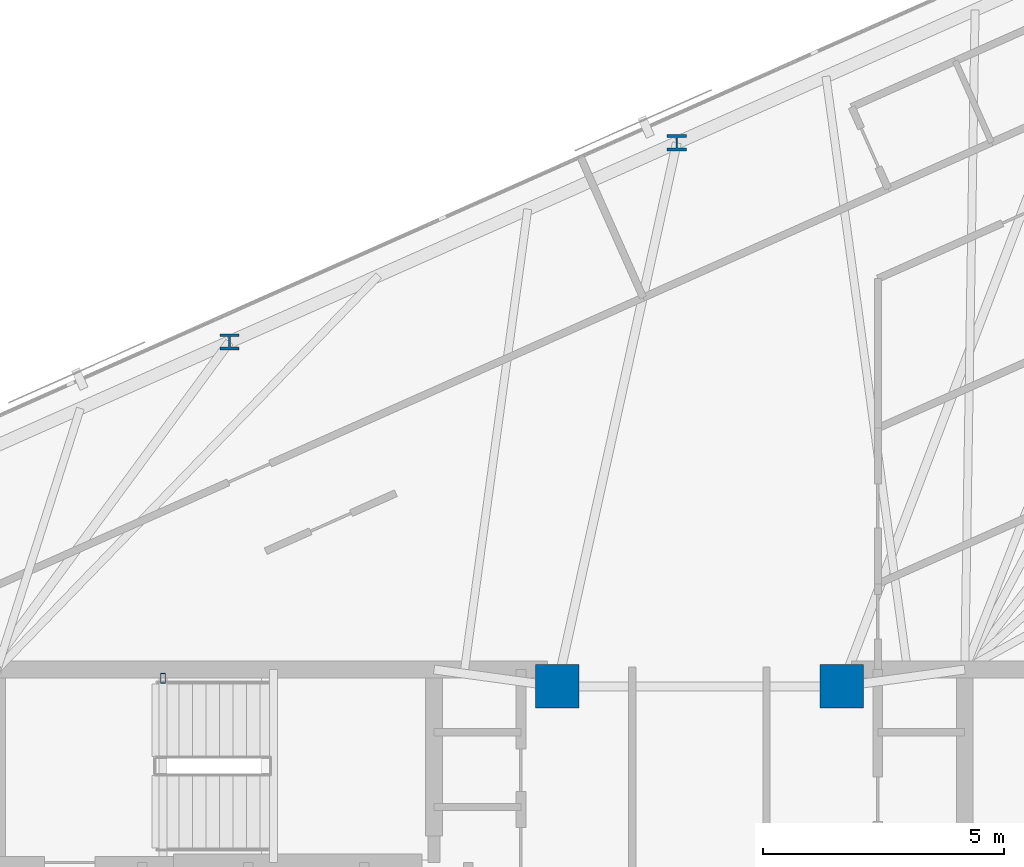
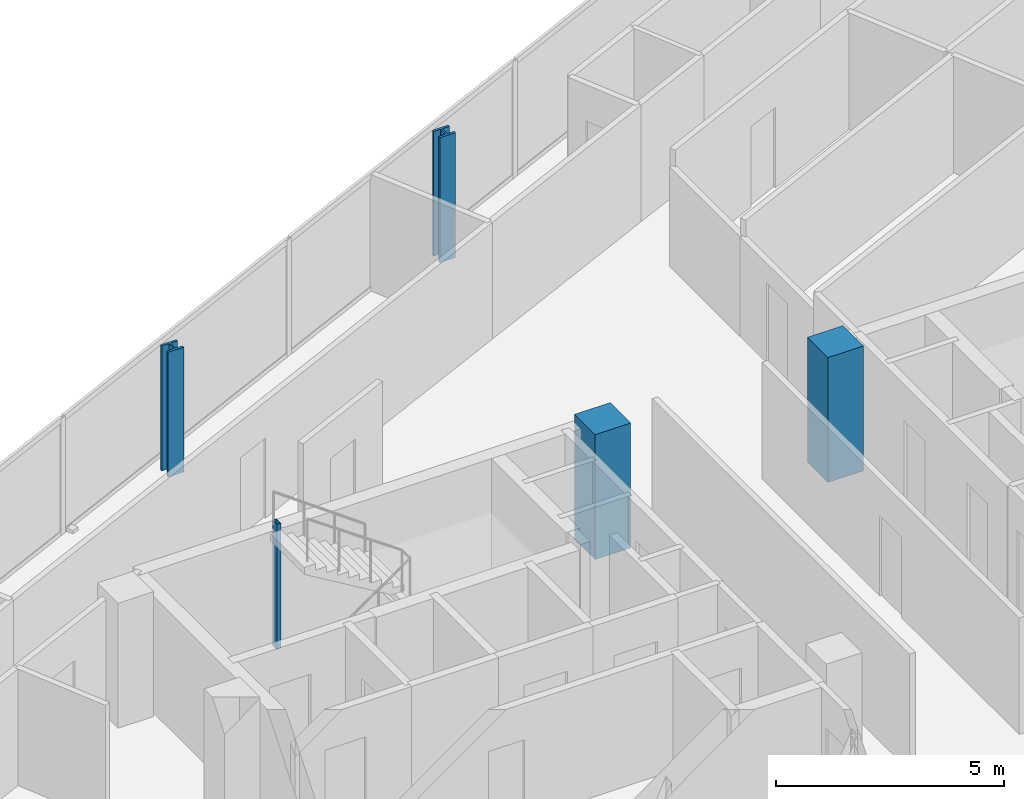
# One storey, part 2 of 19: 5 columns.
"""IFC4 building model written with IfcOpenShell, lengths in metres."""

import ifcopenshell
import ifcopenshell.guid

model = None  # the IFC model being written
_history = None  # IfcOwnerHistory: only IFC2X3 demands one
_inside = {}  # id of a spatial element -> (the spatial element, [elements in it])
_under = {}  # id of a project, library or spatial element -> (it, [spatial elements below it])
_declared = {}  # id of a project -> (the project, [libraries it declares])
_typed = {}  # id of a type object -> (the type object, [elements of that type])
_made_of = {}  # id of a material, layer set ... -> (it, [elements and type objects made of it])


def new_model(schema):
    """Start an empty IFC model of exactly this schema.

    Asked for "IFC4X3", IfcOpenShell would pick the latest addendum, in which some entities
    have other attributes; the version numbers below select the first issue.
    IFC2X3 requires an IfcOwnerHistory on every rooted entity: one is made here for all.
    """
    global model, _history
    if schema == "IFC4X3":
        model = ifcopenshell.file(schema_version=(4, 3, 0, 0))
    else:
        model = ifcopenshell.file(schema=schema)
    _inside.clear()
    _under.clear()
    _declared.clear()
    _typed.clear()
    _made_of.clear()
    _history = None
    if model.schema == "IFC2X3":
        org = make("IfcOrganization", Name="unknown")
        user = make(
            "IfcPersonAndOrganization",
            ThePerson=make("IfcPerson", FamilyName="unknown"),
            TheOrganization=org,
        )
        app = make(
            "IfcApplication",
            ApplicationDeveloper=org,
            Version="unknown",
            ApplicationFullName="unknown",
            ApplicationIdentifier="unknown",
        )
        _history = make(
            "IfcOwnerHistory",
            OwningUser=user,
            OwningApplication=app,
            ChangeAction="ADDED",
            CreationDate=0,
        )
    return model


def make(cls, **values):
    """One entity of the class cls with the attributes given. An attribute that is None is left unset."""
    return model.create_entity(
        cls, **{name: value for name, value in values.items() if value is not None}
    )


def rooted(cls, **values):
    """An entity with a GlobalId (a new one), such as an element, a storey or a relation."""
    return make(cls, GlobalId=ifcopenshell.guid.new(), OwnerHistory=_history, **values)


def si_unit(unit_type, name, prefix=None):
    """IfcSIUnit, for example si_unit("LENGTHUNIT", "METRE", prefix="MILLI")."""
    return make("IfcSIUnit", UnitType=unit_type, Prefix=prefix, Name=name)


def assignment(units):
    """IfcUnitAssignment: the units of a project."""
    return None if units is None else make("IfcUnitAssignment", Units=units)


def point(xyz):
    """IfcCartesianPoint."""
    return None if xyz is None else make("IfcCartesianPoint", Coordinates=xyz)


def direction(xyz):
    """IfcDirection."""
    return None if xyz is None else make("IfcDirection", DirectionRatios=xyz)


def frame(location, z_axis=None, x_axis=None):
    """IfcAxis2Placement3D, a coordinate frame: its origin and axes. An axis left out is left unset."""
    return make(
        "IfcAxis2Placement3D",
        Location=point(location),
        Axis=direction(z_axis),
        RefDirection=direction(x_axis),
    )


def frame_2d(location, x_axis=None):
    """IfcAxis2Placement2D, a coordinate frame in the plane: its origin and x axis."""
    return make(
        "IfcAxis2Placement2D", Location=point(location), RefDirection=direction(x_axis)
    )


def origin():
    """The frame at (0, 0, 0) with its axes left unset."""
    return frame((0.0, 0.0, 0.0))


def origin_2d():
    """The frame at (0, 0) in the plane with its x axis left unset."""
    return frame_2d((0.0, 0.0))


def place(relative_to, where):
    """IfcLocalPlacement: puts the frame where relative to a parent placement (None: the world)."""
    return make(
        "IfcLocalPlacement", PlacementRelTo=relative_to, RelativePlacement=where
    )


def context(
    kind, dimensions, precision=None, world=None, true_north=None, identifier=None
):
    """IfcGeometricRepresentationContext, for example the 3D "Model" context."""
    return make(
        "IfcGeometricRepresentationContext",
        ContextIdentifier=identifier,
        ContextType=kind,
        CoordinateSpaceDimension=dimensions,
        Precision=precision,
        WorldCoordinateSystem=world,
        TrueNorth=true_north,
    )


def subcontext(parent, identifier, kind, view, scale=None):
    """IfcGeometricRepresentationSubContext, for example "Body" below "Model"."""
    return make(
        "IfcGeometricRepresentationSubContext",
        ContextIdentifier=identifier,
        ContextType=kind,
        ParentContext=parent,
        TargetScale=scale,
        TargetView=view,
    )


def project(units=None, contexts=None):
    """IfcProject with its units and contexts."""
    return rooted(
        "IfcProject",
        Name="project",
        RepresentationContexts=contexts,
        UnitsInContext=assignment(units),
    )


def spatial(cls, under=None, at=None, **own):
    """A site, building, storey or space (cls), placed at a placement, below another one or the project."""
    s = rooted(cls, ObjectPlacement=at, **own)
    if under is not None:
        _under.setdefault(under.id(), (under, []))[1].append(s)
    return s


def profile(cls, at=None, kind="AREA", **sizes):
    """A parametric profile (cls). Its sizes go by their IFC names, for example OverallWidth=200.0."""
    return make(cls, ProfileType=kind, Position=at, **sizes)


def rectangle(**sizes):
    """IfcRectangleProfileDef."""
    return profile("IfcRectangleProfileDef", **sizes)


def hollow_rectangle(**sizes):
    """IfcRectangleHollowProfileDef."""
    return profile("IfcRectangleHollowProfileDef", **sizes)


def i_section(**sizes):
    """IfcIShapeProfileDef."""
    return profile("IfcIShapeProfileDef", **sizes)


def extrude(swept, where, along, depth):
    """IfcExtrudedAreaSolid: the profile swept, set in the frame where, extruded along a direction by depth."""
    return make(
        "IfcExtrudedAreaSolid",
        SweptArea=swept,
        Position=where,
        ExtrudedDirection=direction(along),
        Depth=depth,
    )


def shape(context_of_items, identifier, shape_type, items):
    """IfcShapeRepresentation: the items that make up one representation, for example the "Body"."""
    return make(
        "IfcShapeRepresentation",
        ContextOfItems=context_of_items,
        RepresentationIdentifier=identifier,
        RepresentationType=shape_type,
        Items=items,
    )


def material(Name=None, Category=None):
    """IfcMaterial."""
    return make("IfcMaterial", Name=Name, Category=Category)


def material_profile(
    of_material, cross_section, Name=None, Category=None, Priority=None
):
    """IfcMaterialProfile: a cross section and its material."""
    return make(
        "IfcMaterialProfile",
        Name=Name,
        Material=of_material,
        Profile=cross_section,
        Priority=Priority,
        Category=Category,
    )


def profile_set(profiles, Name=None, composite=None):
    """IfcMaterialProfileSet."""
    return make(
        "IfcMaterialProfileSet",
        Name=Name,
        MaterialProfiles=profiles,
        CompositeProfile=composite,
    )


def made_of(thing, what):
    """Note that an element or type object is made of a material, layer set ...; save() writes the relation."""
    if what is not None:
        _made_of.setdefault(what.id(), (what, []))[1].append(thing)
    return thing


def type_object(cls, material=None, **own):
    """A type object (cls), such as IfcWallType, which elements share."""
    return made_of(rooted(cls, **own), material)


def element(
    cls,
    number,
    at=None,
    inside=None,
    cuts=None,
    type_object=None,
    material=None,
    context=None,
    identifier="Body",
    shape_type=None,
    held_by="IfcProductDefinitionShape",
    body=None,
    shapes=None,
    **own,
):
    """One element of the class cls, such as IfcWall. Its Tag is "e" and its number.

    at: its placement. inside: the storey or other place that contains it. cuts: it is an
    opening in that element (IfcRelVoidsElement). A single representation is given by context,
    identifier, shape_type and body (its items); several are given by shapes. held_by: the class
    of the entity that holds the representations. save() writes the other relations.
    """
    e = rooted(cls, Tag="e%d" % number, ObjectPlacement=at, **own)
    if body is not None:
        shapes = [shape(context, identifier, shape_type, body)]
    if shapes is not None:
        e.Representation = make(held_by, Representations=shapes)
    if inside is not None:
        _inside.setdefault(inside.id(), (inside, []))[1].append(e)
    if cuts is not None:
        rooted(
            "IfcRelVoidsElement", RelatingBuildingElement=cuts, RelatedOpeningElement=e
        )
    if type_object is not None:
        _typed.setdefault(type_object.id(), (type_object, []))[1].append(e)
    return made_of(e, material)


def aggregate(whole, parts):
    """IfcRelAggregates: a whole, such as a stair, and the parts it consists of."""
    return rooted("IfcRelAggregates", RelatingObject=whole, RelatedObjects=parts)


def save(model, path):
    """Write the relations noted so far, then the file.

    IfcRelAggregates (storeys below a building ...), IfcRelContainedInSpatialStructure (elements
    in a storey), IfcRelDefinesByType, IfcRelAssociatesMaterial and IfcRelDeclares: one each for
    every whole, place, type object, material and project.
    """
    for whole, parts in _under.values():
        aggregate(whole, parts)
    for where, things in _inside.values():
        rooted(
            "IfcRelContainedInSpatialStructure",
            RelatedElements=things,
            RelatingStructure=where,
        )
    for kind, things in _typed.values():
        rooted("IfcRelDefinesByType", RelatedObjects=things, RelatingType=kind)
    for what, things in _made_of.values():
        rooted("IfcRelAssociatesMaterial", RelatedObjects=things, RelatingMaterial=what)
    for by, libraries in _declared.values():
        rooted("IfcRelDeclares", RelatingContext=by, RelatedDefinitions=libraries)
    model.write(path)


model = new_model("IFC4")

# Units and contexts
model_context = context("Model", 3, precision=1e-05, world=origin(), true_north=direction((0.0, 1.0)))
body_context = subcontext(model_context, "Body", "Model", "MODEL_VIEW")
ifc_project = project(units=[si_unit("LENGTHUNIT", "METRE"), si_unit("AREAUNIT", "SQUARE_METRE"), si_unit("VOLUMEUNIT", "CUBIC_METRE"), si_unit("PLANEANGLEUNIT", "RADIAN"), si_unit("MASSUNIT", "GRAM", prefix="KILO")], contexts=[model_context])

# Site, building, storey
site_placement = place(None, origin())
site = spatial("IfcSite", under=ifc_project, at=site_placement, CompositionType="ELEMENT")
building_placement = place(site_placement, origin())
building = spatial("IfcBuilding", under=site, at=building_placement, Name="Menara Jurai Vektor", CompositionType="ELEMENT")
storey_placement = place(building_placement, frame((0.0, 0.0, 288.60009765625)))
storey = spatial("IfcBuildingStorey", under=building, at=storey_placement, Name="L77", CompositionType="ELEMENT", Elevation=288.60009765625)

# Columns
ifc_material_1 = material(Name="Concrete C50/60", Category="concrete")
ifc_material_profile_1 = material_profile(ifc_material_1, rectangle(XDim=0.89990234375, YDim=0.89990234375, at=origin_2d()), Name="RC 900x900")
ifc_profile_set_1 = profile_set([ifc_material_profile_1], Name="Concrete C50/60")
column_type_1 = type_object("IfcColumnType", Name="STR-COL-RC900", PredefinedType="COLUMN", material=ifc_profile_set_1)
for number, where, z_axis, x_axis, name in (
    (1, (-2.949951171875, 5.25, 0.0), (0.0, 0.0, 1.0), (1.0, 0.0, 0.0), "Core Spine Column CW-NE L77"),
    (2, (2.949951171875, 5.25, 0.0), (0.0, 0.0, 1.0), (1.0, 0.0, 0.0), "Core Spine Column CE-NW L77"),
):
    element("IfcColumn", number, at=place(storey_placement, frame(where, z_axis=z_axis, x_axis=x_axis)), inside=storey, type_object=column_type_1, Name=name, PredefinedType="COLUMN", context=body_context, shape_type="SweptSolid", body=[
        extrude(rectangle(XDim=0.89990234375, YDim=0.89990234375, at=origin_2d()), origin(), (0.0, 0.0, 1.0), 3.349853515625),
    ])
ifc_material_2 = material(Name="Steel S355", Category="steel")
ifc_material_profile_2 = material_profile(ifc_material_2, hollow_rectangle(XDim=0.10009765625, YDim=0.199951171875, WallThickness=0.008056640625, at=origin_2d()), Name="RHS 200x100x8")
ifc_profile_set_2 = profile_set([ifc_material_profile_2], Name="Steel S355")
column_type_2 = type_object("IfcColumnType", Name="STR-COL-STAIR", PredefinedType="COLUMN", material=ifc_profile_set_2)
column_placement = place(storey_placement, frame((-11.1201171875, 5.419921875, 0.0), z_axis=(0.0, 0.0, 1.0), x_axis=(1.0, 0.0, 0.0)))
element("IfcColumn", 3, at=column_placement, inside=storey, type_object=column_type_2, Name="Stair Well Header Column ST1-P2 L77", PredefinedType="COLUMN", context=body_context, shape_type="SweptSolid", body=[
    extrude(hollow_rectangle(XDim=0.10009765625, YDim=0.199951171875, WallThickness=0.008056640625, at=origin_2d()), origin(), (0.0, 0.0, 1.0), 3.349853515625),
])
ifc_material_3 = material(Name="Steel S460", Category="steel")
ifc_material_profile_3 = material_profile(ifc_material_3, i_section(OverallWidth=0.40087890625, OverallDepth=0.3349609375, WebThickness=0.035888671875, FlangeThickness=0.05810546875, FilletRadius=0.014892578125, at=origin_2d()), Name="HD 400x463")
ifc_profile_set_3 = profile_set([ifc_material_profile_3], Name="Steel S460")
column_type_3 = type_object("IfcColumnType", Name="STR-EXO-BLK5", PredefinedType="COLUMN", material=ifc_profile_set_3)
for number, where, z_axis, x_axis, name in (
    (4, (-0.467529296875, 16.519287109375, 0.0), (0.0, 0.0, 1.0), (1.0, 0.0, 0.0), "Exoskeleton Column BLK5-N3 L77"),
    (5, (-9.740966796875, 12.390380859375, 0.0), (0.0, 0.0, 1.0), (1.0, 0.0, 0.0), "Exoskeleton Column BLK5-N4 L77"),
):
    element("IfcColumn", number, at=place(storey_placement, frame(where, z_axis=z_axis, x_axis=x_axis)), inside=storey, type_object=column_type_3, Name=name, PredefinedType="COLUMN", context=body_context, shape_type="SweptSolid", body=[
        extrude(i_section(OverallWidth=0.40087890625, OverallDepth=0.3349609375, WebThickness=0.035888671875, FlangeThickness=0.05810546875, FilletRadius=0.014892578125, at=origin_2d()), origin(), (0.0, 0.0, 1.0), 3.349853515625),
    ])

save(model, "model.ifc")
